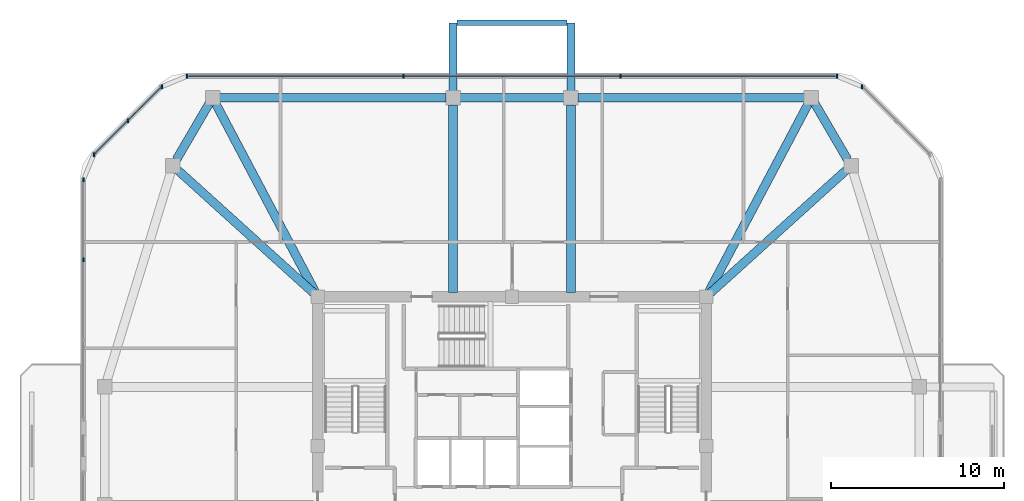
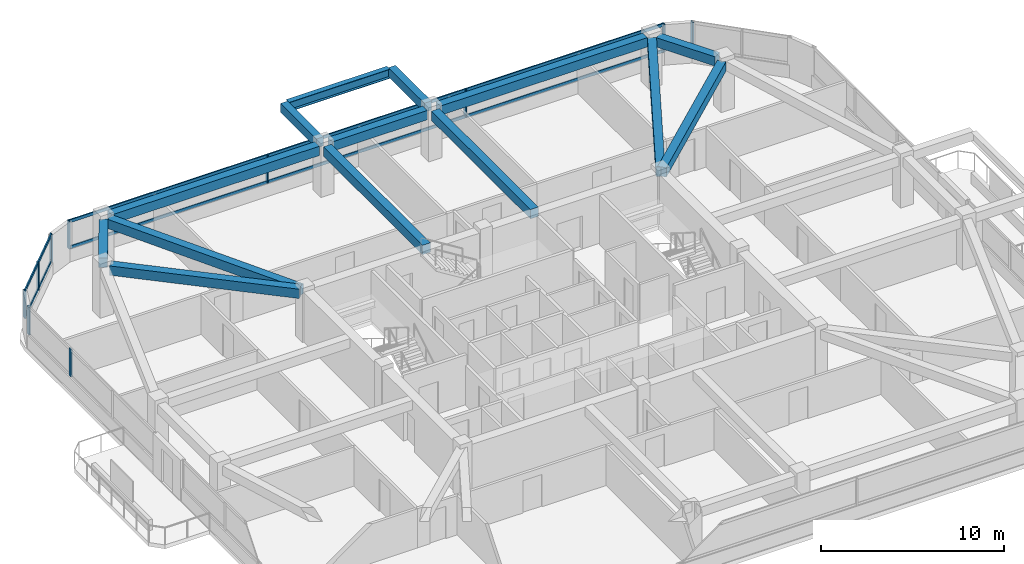
# One storey, part 6 of 14: 14 beams, 14 members, 4 elements without a shape of their own.
"""IFC4 building model written with IfcOpenShell, lengths in metres."""

from ifc_helpers import new_model, si_unit, derived_unit, direction, frame, origin, origin_2d, place, context, subcontext, project, spatial, rectangle, i_section, extrude, material, material_profile, profile_set, type_object, element, aggregate, save


model = new_model("IFC4")

# Units and contexts
model_context = context("Model", 3, precision=1e-05, world=origin(), true_north=direction((0.0, 1.0)))
body_context = subcontext(model_context, "Body", "Model", "MODEL_VIEW")
ifc_project = project(units=[si_unit("LENGTHUNIT", "METRE"), si_unit("AREAUNIT", "SQUARE_METRE"), si_unit("VOLUMEUNIT", "CUBIC_METRE"), si_unit("PLANEANGLEUNIT", "RADIAN"), si_unit("MASSUNIT", "GRAM", prefix="KILO"), derived_unit("THERMALTRANSMITTANCEUNIT", [(si_unit("POWERUNIT", "WATT"), 1), (si_unit("LENGTHUNIT", "METRE"), -2), (si_unit("THERMODYNAMICTEMPERATUREUNIT", "KELVIN"), -1)])], contexts=[model_context])

# Site, building, storey
site_placement = place(None, origin())
site = spatial("IfcSite", under=ifc_project, at=site_placement, CompositionType="ELEMENT")
building_placement = place(site_placement, origin())
building = spatial("IfcBuilding", under=site, at=building_placement, Name="Koralith Skygarden Medical Center", CompositionType="ELEMENT")
storey_placement = place(building_placement, frame((0.0, 0.0, 257.219970703125)))
storey = spatial("IfcBuildingStorey", under=building, at=storey_placement, Name="L66", CompositionType="ELEMENT", Elevation=257.219970703125)

# Curtain wall, member
ifc_material_1 = material(Name="Clear Laminated Glass", Category="glass")
curtain_wall_type = type_object("IfcCurtainWallType", Name="CW-6 Zone 5 Upper Clinical Curtain Wall", PredefinedType="NOTDEFINED", material=ifc_material_1)
curtain_wall_1_placement = place(storey_placement, origin())
curtain_wall_1 = element("IfcCurtainWall", 1, at=curtain_wall_1_placement, inside=storey, type_object=curtain_wall_type, Name="Curtain Wall CW-L66-NE", PredefinedType="NOTDEFINED")
ifc_material_2 = material(Name="Aluminium 6063-T6", Category="aluminium")
ifc_material_profile_1 = material_profile(ifc_material_2, rectangle(XDim=0.0830078125, YDim=0.219970703125, at=origin_2d()), Name="MUL83X220")
ifc_profile_set_1 = profile_set([ifc_material_profile_1], Name="Aluminium 6063-T6")
member_type_1 = type_object("IfcMemberType", Name="CW-6 Extruded Mullion 83x220", PredefinedType="MULLION", material=ifc_profile_set_1)
member_1_placement = place(storey_placement, frame((57.196044921875, 46.618896484375, 0.85009765625), z_axis=(0.0, 0.0, 1.0), x_axis=(1.0, 0.0, 0.0)))
member_1 = element("IfcMember", 2, at=member_1_placement, type_object=member_type_1, Name="CW-L66-NE Mullion 3", PredefinedType="MULLION", context=body_context, shape_type="SweptSolid", body=[
    extrude(rectangle(XDim=0.0830078125, YDim=0.219970703125, at=origin_2d()), origin(), (0.0, 0.0, 1.0), 1.83984375),
])
aggregate(curtain_wall_1, [member_1])

# Curtain wall, members
curtain_wall_2_placement = place(storey_placement, origin())
curtain_wall_2 = element("IfcCurtainWall", 3, at=curtain_wall_2_placement, inside=storey, type_object=curtain_wall_type, Name="Curtain Wall CW-L66-N", PredefinedType="NOTDEFINED")
member_2_placement = place(storey_placement, frame((55.7451171875, 47.219970703125, 0.85009765625), z_axis=(0.0, 0.0, 1.0), x_axis=(1.0, 0.0, 0.0)))
member_2 = element("IfcMember", 4, at=member_2_placement, type_object=member_type_1, Name="CW-L66-N Mullion 1", PredefinedType="MULLION", context=body_context, shape_type="SweptSolid", body=[
    extrude(rectangle(XDim=0.0830078125, YDim=0.219970703125, at=origin_2d()), origin(), (0.0, 0.0, 1.0), 1.83984375),
])
member_3_placement = place(storey_placement, frame((43.248046875, 47.219970703125, 0.85009765625), z_axis=(0.0, 0.0, 1.0), x_axis=(1.0, 0.0, 0.0)))
member_3 = element("IfcMember", 5, at=member_3_placement, type_object=member_type_1, Name="CW-L66-N Mullion 2", PredefinedType="MULLION", context=body_context, shape_type="SweptSolid", body=[
    extrude(rectangle(XDim=0.0830078125, YDim=0.219970703125, at=origin_2d()), origin(), (0.0, 0.0, 1.0), 1.83984375),
])
member_4_placement = place(storey_placement, frame((30.751953125, 47.219970703125, 0.85009765625), z_axis=(0.0, 0.0, 1.0), x_axis=(1.0, 0.0, 0.0)))
member_4 = element("IfcMember", 6, at=member_4_placement, type_object=member_type_1, Name="CW-L66-N Mullion 3", PredefinedType="MULLION", context=body_context, shape_type="SweptSolid", body=[
    extrude(rectangle(XDim=0.0830078125, YDim=0.219970703125, at=origin_2d()), origin(), (0.0, 0.0, 1.0), 1.83984375),
])
member_5_placement = place(storey_placement, frame((18.2548828125, 47.219970703125, 0.85009765625), z_axis=(0.0, 0.0, 1.0), x_axis=(1.0, 0.0, 0.0)))
member_5 = element("IfcMember", 7, at=member_5_placement, type_object=member_type_1, Name="CW-L66-N Mullion 4", PredefinedType="MULLION", context=body_context, shape_type="SweptSolid", body=[
    extrude(rectangle(XDim=0.0830078125, YDim=0.219970703125, at=origin_2d()), origin(), (0.0, 0.0, 1.0), 1.83984375),
])

curtain_wall_3_placement = place(storey_placement, origin())
curtain_wall_3 = element("IfcCurtainWall", 8, at=curtain_wall_3_placement, inside=storey, type_object=curtain_wall_type, Name="Curtain Wall CW-L66-NW", PredefinedType="NOTDEFINED")
member_6_placement = place(storey_placement, frame((16.803955078125, 46.618896484375, 0.85009765625), z_axis=(0.0, 0.0, 1.0), x_axis=(1.0, 0.0, 0.0)))
member_6 = element("IfcMember", 9, at=member_6_placement, type_object=member_type_1, Name="CW-L66-NW Mullion 1", PredefinedType="MULLION", context=body_context, shape_type="SweptSolid", body=[
    extrude(rectangle(XDim=0.0830078125, YDim=0.219970703125, at=origin_2d()), origin(), (0.0, 0.0, 1.0), 1.83984375),
])
member_7_placement = place(storey_placement, frame((14.842041015625, 44.656982421875, 0.85009765625), z_axis=(0.0, 0.0, 1.0), x_axis=(1.0, 0.0, 0.0)))
member_7 = element("IfcMember", 10, at=member_7_placement, type_object=member_type_1, Name="CW-L66-NW Mullion 2", PredefinedType="MULLION", context=body_context, shape_type="SweptSolid", body=[
    extrude(rectangle(XDim=0.0830078125, YDim=0.219970703125, at=origin_2d()), origin(), (0.0, 0.0, 1.0), 1.83984375),
])
member_8_placement = place(storey_placement, frame((12.881103515625, 42.696044921875, 0.85009765625), z_axis=(0.0, 0.0, 1.0), x_axis=(1.0, 0.0, 0.0)))
member_8 = element("IfcMember", 11, at=member_8_placement, type_object=member_type_1, Name="CW-L66-NW Mullion 3", PredefinedType="MULLION", context=body_context, shape_type="SweptSolid", body=[
    extrude(rectangle(XDim=0.0830078125, YDim=0.219970703125, at=origin_2d()), origin(), (0.0, 0.0, 1.0), 1.83984375),
])

curtain_wall_4_placement = place(storey_placement, origin())
curtain_wall_4 = element("IfcCurtainWall", 12, at=curtain_wall_4_placement, inside=storey, type_object=curtain_wall_type, Name="Curtain Wall CW-L66-W-L", PredefinedType="NOTDEFINED")
member_9_placement = place(storey_placement, frame((12.280029296875, 41.2451171875, 0.85009765625), z_axis=(0.0, 0.0, 1.0), x_axis=(1.0, 0.0, 0.0)))
member_9 = element("IfcMember", 13, at=member_9_placement, type_object=member_type_1, Name="CW-L66-W-L Mullion 1", PredefinedType="MULLION", context=body_context, shape_type="SweptSolid", body=[
    extrude(rectangle(XDim=0.0830078125, YDim=0.219970703125, at=origin_2d()), origin(), (0.0, 0.0, 1.0), 1.83984375),
])
member_10_placement = place(storey_placement, frame((12.280029296875, 36.64306640625, 0.85009765625), z_axis=(0.0, 0.0, 1.0), x_axis=(1.0, 0.0, 0.0)))
member_10 = element("IfcMember", 14, at=member_10_placement, type_object=member_type_1, Name="CW-L66-W-L Mullion 2", PredefinedType="MULLION", context=body_context, shape_type="SweptSolid", body=[
    extrude(rectangle(XDim=0.0830078125, YDim=0.219970703125, at=origin_2d()), origin(), (0.0, 0.0, 1.0), 1.83984375),
])
aggregate(curtain_wall_4, [member_9, member_10])

# Member
ifc_material_profile_2 = material_profile(ifc_material_2, rectangle(XDim=0.077880859375, YDim=0.197998046875, at=origin_2d()), Name="TRN78X198")
ifc_profile_set_2 = profile_set([ifc_material_profile_2], Name="Aluminium 6063-T6")
member_type_2 = type_object("IfcMemberType", Name="CW-6 Thermal Transom 78x198", PredefinedType="USERDEFINED", material=ifc_profile_set_2)
member_11_placement = place(storey_placement, frame((55.7451171875, 47.219970703125, 0.900146484375), z_axis=(-1.0, 0.0, 0.0), x_axis=(0.0, -1.0, 0.0)))
member_11 = element("IfcMember", 15, at=member_11_placement, type_object=member_type_2, Name="CW-L66-N Transom 1", ObjectType="TRANSOM", PredefinedType="USERDEFINED", context=body_context, shape_type="SweptSolid", body=[
    extrude(rectangle(XDim=0.077880859375, YDim=0.197998046875, at=origin_2d()), origin(), (0.0, 0.0, 1.0), 37.490234375),
])

member_12_placement = place(storey_placement, frame((55.7451171875, 47.219970703125, 2.64013671875), z_axis=(-1.0, 0.0, 0.0), x_axis=(0.0, -1.0, 0.0)))
member_12 = element("IfcMember", 16, at=member_12_placement, type_object=member_type_2, Name="CW-L66-N Transom 2", ObjectType="TRANSOM", PredefinedType="USERDEFINED", context=body_context, shape_type="SweptSolid", body=[
    extrude(rectangle(XDim=0.077880859375, YDim=0.197998046875, at=origin_2d()), origin(), (0.0, 0.0, 1.0), 37.490234375),
])

aggregate(curtain_wall_2, [member_2, member_3, member_4, member_5, member_11, member_12])

member_13_placement = place(storey_placement, frame((16.803955078125, 46.618896484375, 0.900146484375), z_axis=(-0.707106781187, -0.707106781187, 0.0), x_axis=(0.707106781187, -0.707106781187, 0.0)))
member_13 = element("IfcMember", 17, at=member_13_placement, type_object=member_type_2, Name="CW-L66-NW Transom 1", ObjectType="TRANSOM", PredefinedType="USERDEFINED", context=body_context, shape_type="SweptSolid", body=[
    extrude(rectangle(XDim=0.077880859375, YDim=0.197998046875, at=origin_2d()), origin(), (0.0, 0.0, 1.0), 5.5478515625),
])

member_14_placement = place(storey_placement, frame((16.803955078125, 46.618896484375, 2.64013671875), z_axis=(-0.707106781187, -0.707106781187, 0.0), x_axis=(0.707106781187, -0.707106781187, 0.0)))
member_14 = element("IfcMember", 18, at=member_14_placement, type_object=member_type_2, Name="CW-L66-NW Transom 2", ObjectType="TRANSOM", PredefinedType="USERDEFINED", context=body_context, shape_type="SweptSolid", body=[
    extrude(rectangle(XDim=0.077880859375, YDim=0.197998046875, at=origin_2d()), origin(), (0.0, 0.0, 1.0), 5.5478515625),
])

aggregate(curtain_wall_3, [member_6, member_7, member_8, member_13, member_14])

# Beams
ifc_material_3 = material(Name="Steel ASTM A992 Grade 50", Category="steel")
ifc_material_profile_3 = material_profile(ifc_material_3, i_section(OverallWidth=0.326904296875, OverallDepth=0.6220703125, WebThickness=0.015380859375, FlangeThickness=0.0244140625, at=origin_2d()), Name="W24X131")
ifc_profile_set_3 = profile_set([ifc_material_profile_3], Name="Steel ASTM A992 Grade 50")
beam_type_1 = type_object("IfcBeamType", Name="Cantilever Tie Beam W24X131", PredefinedType="BEAM", material=ifc_profile_set_3)
beam_1_placement = place(storey_placement, frame((33.820068359375, 50.300048828125, 3.029052734375), z_axis=(1.0, 0.0, 0.0), x_axis=(0.0, 1.0, 0.0)))
element("IfcBeam", 19, at=beam_1_placement, inside=storey, type_object=beam_type_1, Name="L67 N Balcony Tip Tie Beam", PredefinedType="BEAM", context=body_context, shape_type="SweptSolid", body=[
    extrude(i_section(OverallWidth=0.326904296875, OverallDepth=0.6220703125, WebThickness=0.015380859375, FlangeThickness=0.0244140625, at=origin_2d()), origin(), (0.0, 0.0, 1.0), 6.35986328125),
])
ifc_material_4 = material(Name="Concrete C45/55", Category="concrete")
ifc_material_profile_4 = material_profile(ifc_material_4, rectangle(XDim=0.449951171875, YDim=0.60009765625, at=origin_2d()), Name="RCB450X600")
ifc_profile_set_4 = profile_set([ifc_material_profile_4], Name="Concrete C45/55")
beam_type_2 = type_object("IfcBeamType", Name="Planted Balcony Cantilever Beam RCB450X600", PredefinedType="BEAM", material=ifc_profile_set_4)
for number, where, z_axis, x_axis, name in (
    (20, (33.60009765625, 46.3798828125, 3.0400390625), (0.0, 1.0, 0.0), (-1.0, 0.0, 0.0), "L67 N Balcony Cantilever Beam A"),
    (21, (40.39990234375, 46.3798828125, 3.0400390625), (0.0, 1.0, 0.0), (-1.0, 0.0, 0.0), "L67 N Balcony Cantilever Beam B"),
):
    element("IfcBeam", number, at=place(storey_placement, frame(where, z_axis=z_axis, x_axis=x_axis)), inside=storey, type_object=beam_type_2, Name=name, PredefinedType="BEAM", context=body_context, shape_type="SweptSolid", body=[
        extrude(rectangle(XDim=0.449951171875, YDim=0.60009765625, at=origin_2d()), origin(), (0.0, 0.0, 1.0), 3.920166015625),
    ])
ifc_material_profile_5 = material_profile(ifc_material_4, rectangle(XDim=0.5, YDim=0.6201171875, at=origin_2d()), Name="RCB500X620")
ifc_profile_set_5 = profile_set([ifc_material_profile_5], Name="Concrete C45/55")
beam_type_3 = type_object("IfcBeamType", Name="Upper Radial Collector Beam RCB500X620", PredefinedType="BEAM", material=ifc_profile_set_5)
beam_2_placement = place(storey_placement, frame((48.385009765625, 34.66796875, 3.010009765625), z_axis=(0.741747768548, 0.670678945438, 0.0), x_axis=(-0.670678945438, 0.741747768548, 0.0)))
element("IfcBeam", 22, at=beam_2_placement, inside=storey, type_object=beam_type_3, Name="L66 Radial Collector Beam RB-10", PredefinedType="BEAM", context=body_context, shape_type="SweptSolid", body=[
    extrude(rectangle(XDim=0.5, YDim=0.6201171875, at=origin_2d()), origin(), (0.0, 0.0, 1.0), 10.611572265625),
])
beam_3_placement = place(storey_placement, frame((48.31689453125, 34.720947265625, 3.010009765625), z_axis=(0.467256895772, 0.884121594213, 0.0), x_axis=(-0.884121594213, 0.467256895772, 0.0)))
element("IfcBeam", 23, at=beam_3_placement, inside=storey, type_object=beam_type_3, Name="L66 Radial Collector Beam RB-11", PredefinedType="BEAM", context=body_context, shape_type="SweptSolid", body=[
    extrude(rectangle(XDim=0.5, YDim=0.6201171875, at=origin_2d()), origin(), (0.0, 0.0, 1.0), 12.3251953125),
])
for number, where, z_axis, x_axis, name in (
    (24, (40.39990234375, 34.75, 3.010009765625), (0.0, 1.0, 0.0), (-1.0, 0.0, 0.0), "L66 Radial Collector Beam RB-12"),
    (25, (33.60009765625, 34.75, 3.010009765625), (0.0, 1.0, 0.0), (-1.0, 0.0, 0.0), "L66 Radial Collector Beam RB-13"),
):
    element("IfcBeam", number, at=place(storey_placement, frame(where, z_axis=z_axis, x_axis=x_axis)), inside=storey, type_object=beam_type_3, Name=name, PredefinedType="BEAM", context=body_context, shape_type="SweptSolid", body=[
        extrude(rectangle(XDim=0.5, YDim=0.6201171875, at=origin_2d()), origin(), (0.0, 0.0, 1.0), 10.820068359375),
    ])
beam_4_placement = place(storey_placement, frame((25.68310546875, 34.720947265625, 3.010009765625), z_axis=(-0.467256895772, 0.884121594213, 0.0), x_axis=(-0.884121594213, -0.467256895772, 0.0)))
element("IfcBeam", 26, at=beam_4_placement, inside=storey, type_object=beam_type_3, Name="L66 Radial Collector Beam RB-14", PredefinedType="BEAM", context=body_context, shape_type="SweptSolid", body=[
    extrude(rectangle(XDim=0.5, YDim=0.6201171875, at=origin_2d()), origin(), (0.0, 0.0, 1.0), 12.3251953125),
])
beam_5_placement = place(storey_placement, frame((25.614990234375, 34.66796875, 3.010009765625), z_axis=(-0.741747768548, 0.670678945438, 0.0), x_axis=(-0.670678945438, -0.741747768548, 0.0)))
element("IfcBeam", 27, at=beam_5_placement, inside=storey, type_object=beam_type_3, Name="L66 Radial Collector Beam RB-15", PredefinedType="BEAM", context=body_context, shape_type="SweptSolid", body=[
    extrude(rectangle(XDim=0.5, YDim=0.6201171875, at=origin_2d()), origin(), (0.0, 0.0, 1.0), 10.611572265625),
])
ifc_material_profile_6 = material_profile(ifc_material_4, rectangle(XDim=0.5, YDim=0.6201171875, at=origin_2d()), Name="RCB500X620")
ifc_profile_set_6 = profile_set([ifc_material_profile_6], Name="Concrete C45/55")
beam_type_4 = type_object("IfcBeamType", Name="Zone 4-5 Spandrel Beam RCB500X620", PredefinedType="SPANDREL", material=ifc_profile_set_6)
beam_6_placement = place(storey_placement, frame((56.35302734375, 42.4140625, 3.010009765625), z_axis=(-0.50473571007, 0.863273921175, 0.0), x_axis=(-0.863273921175, -0.50473571007, 0.0)))
element("IfcBeam", 28, at=beam_6_placement, inside=storey, type_object=beam_type_4, Name="L66 Perimeter Spandrel Beam SP-10", PredefinedType="SPANDREL", context=body_context, shape_type="SweptSolid", body=[
    extrude(rectangle(XDim=0.5, YDim=0.6201171875, at=origin_2d()), origin(), (0.0, 0.0, 1.0), 3.720703125),
])
beam_7_placement = place(storey_placement, frame((53.85791015625, 45.97998046875, 3.010009765625), z_axis=(-1.0, 0.0, 0.0), x_axis=(0.0, -1.0, 0.0)))
element("IfcBeam", 29, at=beam_7_placement, inside=storey, type_object=beam_type_4, Name="L66 Perimeter Spandrel Beam SP-11", PredefinedType="SPANDREL", context=body_context, shape_type="SweptSolid", body=[
    extrude(rectangle(XDim=0.5, YDim=0.6201171875, at=origin_2d()), origin(), (0.0, 0.0, 1.0), 13.0478515625),
])
beam_8_placement = place(storey_placement, frame((39.989990234375, 45.97998046875, 3.010009765625), z_axis=(-1.0, 0.0, 0.0), x_axis=(0.0, -1.0, 0.0)))
element("IfcBeam", 30, at=beam_8_placement, inside=storey, type_object=beam_type_4, Name="L66 Perimeter Spandrel Beam SP-12", PredefinedType="SPANDREL", context=body_context, shape_type="SweptSolid", body=[
    extrude(rectangle(XDim=0.5, YDim=0.6201171875, at=origin_2d()), origin(), (0.0, 0.0, 1.0), 5.97998046875),
])
beam_9_placement = place(storey_placement, frame((33.18994140625, 45.97998046875, 3.010009765625), z_axis=(-1.0, 0.0, 0.0), x_axis=(0.0, -1.0, 0.0)))
element("IfcBeam", 31, at=beam_9_placement, inside=storey, type_object=beam_type_4, Name="L66 Perimeter Spandrel Beam SP-13", PredefinedType="SPANDREL", context=body_context, shape_type="SweptSolid", body=[
    extrude(rectangle(XDim=0.5, YDim=0.6201171875, at=origin_2d()), origin(), (0.0, 0.0, 1.0), 13.0478515625),
])
beam_10_placement = place(storey_placement, frame((19.52490234375, 45.6259765625, 3.010009765625), z_axis=(-0.50473571007, -0.863273921175, 0.0), x_axis=(0.863273921175, -0.50473571007, 0.0)))
element("IfcBeam", 32, at=beam_10_placement, inside=storey, type_object=beam_type_4, Name="L66 Perimeter Spandrel Beam SP-14", PredefinedType="SPANDREL", context=body_context, shape_type="SweptSolid", body=[
    extrude(rectangle(XDim=0.5, YDim=0.6201171875, at=origin_2d()), origin(), (0.0, 0.0, 1.0), 3.720703125),
])

save(model, "model.ifc")
